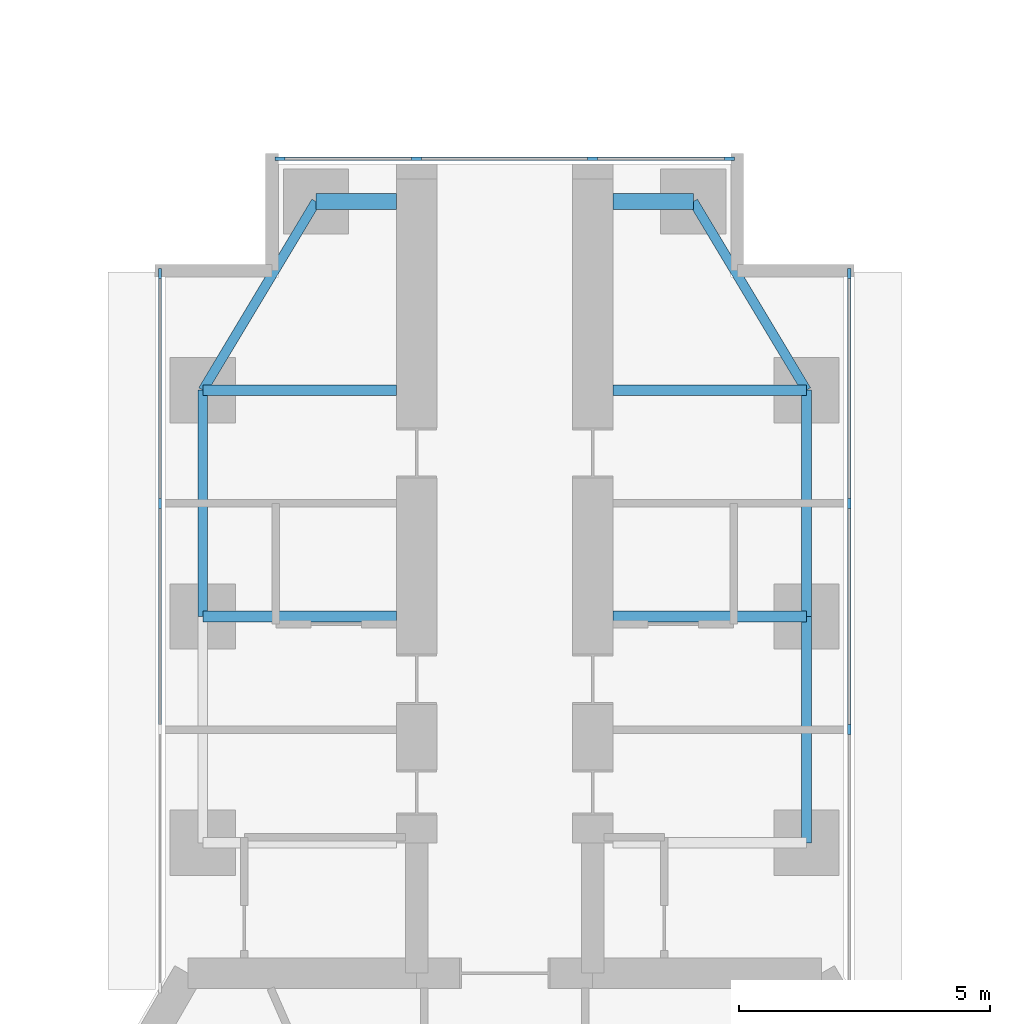
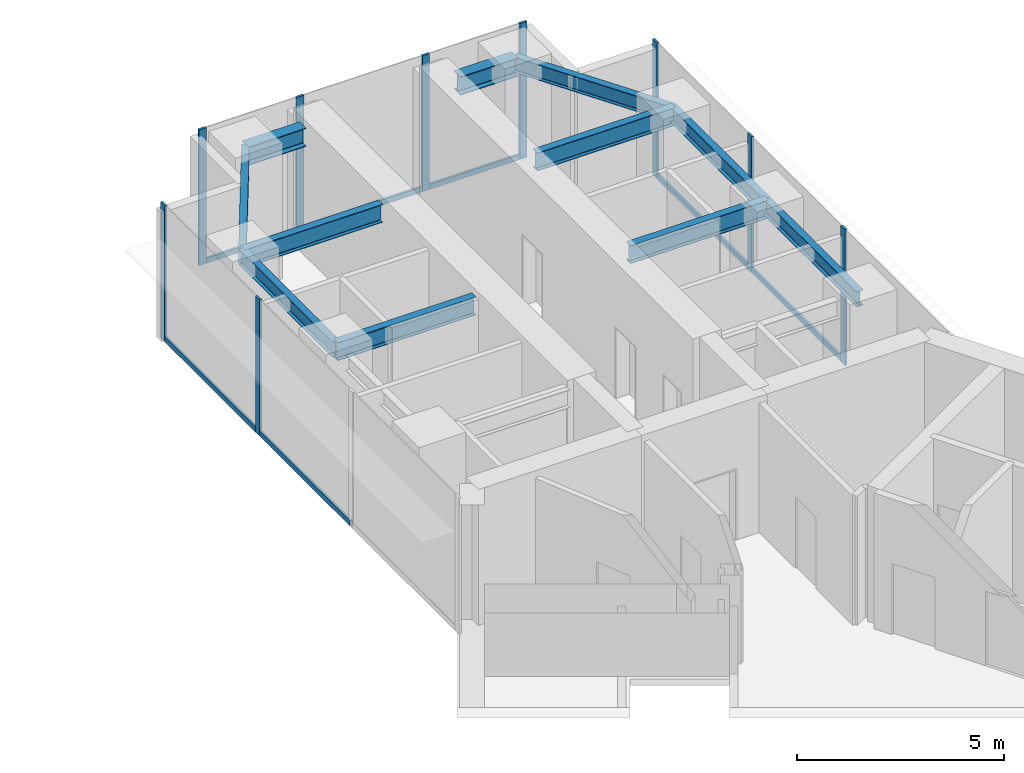
# One storey, part 12 of 22: 16 members, 11 beams, 3 elements without a shape of their own.
"""IFC4 building model written with IfcOpenShell, lengths in metres."""

from ifc_helpers import new_model, si_unit, direction, frame, origin, origin_2d, place, context, subcontext, project, spatial, rectangle, i_section, extrude, material, material_profile, profile_set, type_object, element, aggregate, save


model = new_model("IFC4")

# Units and contexts
model_context = context("Model", 3, precision=1e-05, world=origin(), true_north=direction((0.0, 1.0)))
body_context = subcontext(model_context, "Body", "Model", "MODEL_VIEW")
ifc_project = project(units=[si_unit("LENGTHUNIT", "METRE"), si_unit("AREAUNIT", "SQUARE_METRE"), si_unit("VOLUMEUNIT", "CUBIC_METRE"), si_unit("PLANEANGLEUNIT", "RADIAN"), si_unit("MASSUNIT", "GRAM", prefix="KILO")], contexts=[model_context])

# Site, building, storey
site_placement = place(None, origin())
site = spatial("IfcSite", under=ifc_project, at=site_placement, CompositionType="ELEMENT")
building_placement = place(site_placement, origin())
building = spatial("IfcBuilding", under=site, at=building_placement, Name="Upepo Twin Towers", CompositionType="ELEMENT")
storey_placement = place(building_placement, frame((0.0, 0.0, 121.5)))
storey = spatial("IfcBuildingStorey", under=building, at=storey_placement, Name="L29", CompositionType="ELEMENT", Elevation=121.5)

# Beams
ifc_material_1 = material(Name="Steel S355", Category="steel")
ifc_material_profile_1 = material_profile(ifc_material_1, i_section(OverallWidth=0.1904296875, OverallDepth=0.45703125, WebThickness=0.009033203125, FlangeThickness=0.014404296875, FilletRadius=0.01025390625, at=origin_2d()), Name="UB 457x191x74")
ifc_profile_set_1 = profile_set([ifc_material_profile_1], Name="Steel S355")
beam_type_1 = type_object("IfcBeamType", Name="Beam UB 457x191x74", PredefinedType="BEAM", material=ifc_profile_set_1)
beam_1_placement = place(storey_placement, frame((52.5, 0.0, 3.571533203125), z_axis=(0.0, 1.0, 0.0), x_axis=(-1.0, 0.0, 0.0)))
element("IfcBeam", 1, at=beam_1_placement, inside=storey, type_object=beam_type_1, Name="T2 edge beam AL 18.0-22.5", PredefinedType="BEAM", context=body_context, shape_type="SweptSolid", body=[
    extrude(i_section(OverallWidth=0.1904296875, OverallDepth=0.45703125, WebThickness=0.009033203125, FlangeThickness=0.014404296875, FilletRadius=0.01025390625, at=origin_2d()), origin(), (0.0, 0.0, 1.0), 4.5),
])
beam_2_placement = place(storey_placement, frame((52.5, 4.5, 3.571533203125), z_axis=(0.514495755428, 0.857492925713, 0.0), x_axis=(-0.857492925713, 0.514495755428, 0.0)))
element("IfcBeam", 2, at=beam_2_placement, inside=storey, type_object=beam_type_1, Name="T2 nose edge beam AL", PredefinedType="BEAM", context=body_context, shape_type="SweptSolid", body=[
    extrude(i_section(OverallWidth=0.1904296875, OverallDepth=0.45703125, WebThickness=0.009033203125, FlangeThickness=0.014404296875, FilletRadius=0.01025390625, at=origin_2d()), origin(), (0.0, 0.0, 1.0), 4.373291015625),
])
for number, where, z_axis, x_axis, name in (
    (3, (64.5, -4.5, 3.571533203125), (0.0, 1.0, 0.0), (-1.0, 0.0, 0.0), "T2 edge beam AR 13.5-18.0"),
    (4, (64.5, 0.0, 3.571533203125), (0.0, 1.0, 0.0), (-1.0, 0.0, 0.0), "T2 edge beam AR 18.0-22.5"),
):
    element("IfcBeam", number, at=place(storey_placement, frame(where, z_axis=z_axis, x_axis=x_axis)), inside=storey, type_object=beam_type_1, Name=name, PredefinedType="BEAM", context=body_context, shape_type="SweptSolid", body=[
        extrude(i_section(OverallWidth=0.1904296875, OverallDepth=0.45703125, WebThickness=0.009033203125, FlangeThickness=0.014404296875, FilletRadius=0.01025390625, at=origin_2d()), origin(), (0.0, 0.0, 1.0), 4.5),
    ])
beam_3_placement = place(storey_placement, frame((64.5, 4.5, 3.571533203125), z_axis=(-0.514495755428, 0.857492925713, 0.0), x_axis=(-0.857492925713, -0.514495755428, 0.0)))
element("IfcBeam", 5, at=beam_3_placement, inside=storey, type_object=beam_type_1, Name="T2 nose edge beam AR", PredefinedType="BEAM", context=body_context, shape_type="SweptSolid", body=[
    extrude(i_section(OverallWidth=0.1904296875, OverallDepth=0.45703125, WebThickness=0.009033203125, FlangeThickness=0.014404296875, FilletRadius=0.01025390625, at=origin_2d()), origin(), (0.0, 0.0, 1.0), 4.373291015625),
])
ifc_material_2 = material(Name="Steel S355", Category="steel")
ifc_material_profile_2 = material_profile(ifc_material_2, i_section(OverallWidth=0.209228515625, OverallDepth=0.533203125, WebThickness=0.010009765625, FlangeThickness=0.015625, FilletRadius=0.0126953125, at=origin_2d()), Name="UB 533x210x92")
ifc_profile_set_2 = profile_set([ifc_material_profile_2], Name="Steel S355")
beam_type_2 = type_object("IfcBeamType", Name="Beam UB 533x210x92", PredefinedType="BEAM", material=ifc_profile_set_2)
for number, where, z_axis, x_axis, name in (
    (6, (52.5, 0.0, 3.533447265625), (1.0, 0.0, 0.0), (0.0, 1.0, 0.0), "T2 girder AL at 18.0"),
    (7, (52.5, 4.5, 3.533447265625), (1.0, 0.0, 0.0), (0.0, 1.0, 0.0), "T2 girder AL at 22.5"),
    (8, (64.5, 0.0, 3.533447265625), (-1.0, 0.0, 0.0), (0.0, -1.0, 0.0), "T2 girder AR at 18.0"),
    (9, (64.5, 4.5, 3.533447265625), (-1.0, 0.0, 0.0), (0.0, -1.0, 0.0), "T2 girder AR at 22.5"),
):
    element("IfcBeam", number, at=place(storey_placement, frame(where, z_axis=z_axis, x_axis=x_axis)), inside=storey, type_object=beam_type_2, Name=name, PredefinedType="BEAM", context=body_context, shape_type="SweptSolid", body=[
        extrude(i_section(OverallWidth=0.209228515625, OverallDepth=0.533203125, WebThickness=0.010009765625, FlangeThickness=0.015625, FilletRadius=0.0126953125, at=origin_2d()), origin(), (0.0, 0.0, 1.0), 3.85009765625),
    ])
ifc_material_3 = material(Name="Steel S355", Category="steel")
ifc_material_profile_3 = material_profile(ifc_material_3, i_section(OverallWidth=0.31201171875, OverallDepth=0.54345703125, WebThickness=0.0126953125, FlangeThickness=0.020263671875, FilletRadius=0.0126953125, at=origin_2d()), Name="UB 533x312x150")
ifc_profile_set_3 = profile_set([ifc_material_profile_3], Name="Steel S355")
beam_type_3 = type_object("IfcBeamType", Name="Beam UB 533x312x150", PredefinedType="BEAM", material=ifc_profile_set_3)
for number, where, z_axis, x_axis, name in (
    (10, (54.75, 8.25, 3.5283203125), (1.0, 0.0, 0.0), (0.0, 1.0, 0.0), "T2 nose beam AL"),
    (11, (62.25, 8.25, 3.5283203125), (-1.0, 0.0, 0.0), (0.0, -1.0, 0.0), "T2 nose beam AR"),
):
    element("IfcBeam", number, at=place(storey_placement, frame(where, z_axis=z_axis, x_axis=x_axis)), inside=storey, type_object=beam_type_3, Name=name, PredefinedType="BEAM", context=body_context, shape_type="SweptSolid", body=[
        extrude(i_section(OverallWidth=0.31201171875, OverallDepth=0.54345703125, WebThickness=0.0126953125, FlangeThickness=0.020263671875, FilletRadius=0.0126953125, at=origin_2d()), origin(), (0.0, 0.0, 1.0), 1.60009765625),
    ])

# Curtain wall, members
ifc_material_4 = material(Name="Aluminium and fritted glass", Category="aluminium")
curtain_wall_type = type_object("IfcCurtainWallType", Name="Tower curtain wall TW2, fritted glass", PredefinedType="NOTDEFINED", material=ifc_material_4)
curtain_wall_1_placement = place(storey_placement, origin())
curtain_wall_1 = element("IfcCurtainWall", 12, at=curtain_wall_1_placement, inside=storey, type_object=curtain_wall_type, Name="T2 L29 wing A flank L curtain wall", PredefinedType="NOTDEFINED")
ifc_material_5 = material(Name="Aluminium mullion", Category="aluminium")
ifc_material_profile_4 = material_profile(ifc_material_5, rectangle(XDim=0.06494140625, YDim=0.199951171875, at=origin_2d()), Name="MULLION 65x200")
ifc_profile_set_4 = profile_set([ifc_material_profile_4], Name="Aluminium mullion")
member_type_1 = type_object("IfcMemberType", Name="Mullion 65x200 TW2", PredefinedType="MULLION", material=ifc_profile_set_4)
member_1_placement = place(storey_placement, frame((51.64990234375, 2.25, 0.0), z_axis=(0.0, 0.0, 1.0), x_axis=(-1.0, 0.0, 0.0)))
member_1 = element("IfcMember", 13, at=member_1_placement, type_object=member_type_1, Name="T2 L29 wing A flank L curtain wall mullion 3", PredefinedType="MULLION", context=body_context, shape_type="SweptSolid", body=[
    extrude(rectangle(XDim=0.06494140625, YDim=0.199951171875, at=origin_2d()), origin(), (0.0, 0.0, 1.0), 4.0),
])
member_2_placement = place(storey_placement, frame((51.64990234375, 6.8173828125, 0.0), z_axis=(0.0, 0.0, 1.0), x_axis=(-1.0, 0.0, 0.0)))
member_2 = element("IfcMember", 14, at=member_2_placement, type_object=member_type_1, Name="T2 L29 wing A flank L curtain wall mullion 4", PredefinedType="MULLION", context=body_context, shape_type="SweptSolid", body=[
    extrude(rectangle(XDim=0.06494140625, YDim=0.199951171875, at=origin_2d()), origin(), (0.0, 0.0, 1.0), 4.0),
])

curtain_wall_2_placement = place(storey_placement, origin())
curtain_wall_2 = element("IfcCurtainWall", 15, at=curtain_wall_2_placement, inside=storey, type_object=curtain_wall_type, Name="T2 L29 wing A flank R curtain wall", PredefinedType="NOTDEFINED")
member_3_placement = place(storey_placement, frame((65.35009765625, 6.8173828125, 0.0), z_axis=(0.0, 0.0, 1.0), x_axis=(1.0, 0.0, 0.0)))
member_3 = element("IfcMember", 16, at=member_3_placement, type_object=member_type_1, Name="T2 L29 wing A flank R curtain wall mullion 1", PredefinedType="MULLION", context=body_context, shape_type="SweptSolid", body=[
    extrude(rectangle(XDim=0.06494140625, YDim=0.199951171875, at=origin_2d()), origin(), (0.0, 0.0, 1.0), 4.0),
])
member_4_placement = place(storey_placement, frame((65.35009765625, 2.25, 0.0), z_axis=(0.0, 0.0, 1.0), x_axis=(1.0, 0.0, 0.0)))
member_4 = element("IfcMember", 17, at=member_4_placement, type_object=member_type_1, Name="T2 L29 wing A flank R curtain wall mullion 2", PredefinedType="MULLION", context=body_context, shape_type="SweptSolid", body=[
    extrude(rectangle(XDim=0.06494140625, YDim=0.199951171875, at=origin_2d()), origin(), (0.0, 0.0, 1.0), 4.0),
])
member_5_placement = place(storey_placement, frame((65.35009765625, -2.25, 0.0), z_axis=(0.0, 0.0, 1.0), x_axis=(1.0, 0.0, 0.0)))
member_5 = element("IfcMember", 18, at=member_5_placement, type_object=member_type_1, Name="T2 L29 wing A flank R curtain wall mullion 3", PredefinedType="MULLION", context=body_context, shape_type="SweptSolid", body=[
    extrude(rectangle(XDim=0.06494140625, YDim=0.199951171875, at=origin_2d()), origin(), (0.0, 0.0, 1.0), 4.0),
])

curtain_wall_3_placement = place(storey_placement, origin())
curtain_wall_3 = element("IfcCurtainWall", 19, at=curtain_wall_3_placement, inside=storey, type_object=curtain_wall_type, Name="T2 L29 wing A nose curtain wall", PredefinedType="NOTDEFINED")
member_6_placement = place(storey_placement, frame((62.967529296875, 9.10009765625, 0.0), z_axis=(0.0, 0.0, 1.0), x_axis=(0.0, -1.0, 0.0)))
member_6 = element("IfcMember", 20, at=member_6_placement, type_object=member_type_1, Name="T2 L29 wing A nose curtain wall mullion 1", PredefinedType="MULLION", context=body_context, shape_type="SweptSolid", body=[
    extrude(rectangle(XDim=0.06494140625, YDim=0.199951171875, at=origin_2d()), origin(), (0.0, 0.0, 1.0), 4.0),
])
member_7_placement = place(storey_placement, frame((60.25, 9.10009765625, 0.0), z_axis=(0.0, 0.0, 1.0), x_axis=(0.0, -1.0, 0.0)))
member_7 = element("IfcMember", 21, at=member_7_placement, type_object=member_type_1, Name="T2 L29 wing A nose curtain wall mullion 2", PredefinedType="MULLION", context=body_context, shape_type="SweptSolid", body=[
    extrude(rectangle(XDim=0.06494140625, YDim=0.199951171875, at=origin_2d()), origin(), (0.0, 0.0, 1.0), 4.0),
])
member_8_placement = place(storey_placement, frame((56.75, 9.10009765625, 0.0), z_axis=(0.0, 0.0, 1.0), x_axis=(0.0, -1.0, 0.0)))
member_8 = element("IfcMember", 22, at=member_8_placement, type_object=member_type_1, Name="T2 L29 wing A nose curtain wall mullion 3", PredefinedType="MULLION", context=body_context, shape_type="SweptSolid", body=[
    extrude(rectangle(XDim=0.06494140625, YDim=0.199951171875, at=origin_2d()), origin(), (0.0, 0.0, 1.0), 4.0),
])
member_9_placement = place(storey_placement, frame((54.032470703125, 9.10009765625, 0.0), z_axis=(0.0, 0.0, 1.0), x_axis=(0.0, -1.0, 0.0)))
member_9 = element("IfcMember", 23, at=member_9_placement, type_object=member_type_1, Name="T2 L29 wing A nose curtain wall mullion 4", PredefinedType="MULLION", context=body_context, shape_type="SweptSolid", body=[
    extrude(rectangle(XDim=0.06494140625, YDim=0.199951171875, at=origin_2d()), origin(), (0.0, 0.0, 1.0), 4.0),
])

# Member
ifc_material_6 = material(Name="Aluminium transom", Category="aluminium")
ifc_material_profile_5 = material_profile(ifc_material_6, rectangle(XDim=0.06494140625, YDim=0.14990234375, at=origin_2d()), Name="TRANSOM 65x150")
ifc_profile_set_5 = profile_set([ifc_material_profile_5], Name="Aluminium transom")
member_type_2 = type_object("IfcMemberType", Name="Transom 65x150 TW2", PredefinedType="USERDEFINED", material=ifc_profile_set_5)
member_10_placement = place(storey_placement, frame((51.64990234375, -2.217529296875, 0.074951171875), z_axis=(0.0, 1.0, 0.0), x_axis=(-1.0, 0.0, 0.0)))
member_10 = element("IfcMember", 24, at=member_10_placement, type_object=member_type_2, Name="T2 L29 wing A flank L curtain wall transom 2", ObjectType="TRANSOM", PredefinedType="USERDEFINED", context=body_context, shape_type="SweptSolid", body=[
    extrude(rectangle(XDim=0.06494140625, YDim=0.14990234375, at=origin_2d()), origin(), (0.0, 0.0, 1.0), 4.43505859375),
])

member_11_placement = place(storey_placement, frame((51.64990234375, 2.282470703125, 0.074951171875), z_axis=(0.0, 1.0, 0.0), x_axis=(-1.0, 0.0, 0.0)))
member_11 = element("IfcMember", 25, at=member_11_placement, type_object=member_type_2, Name="T2 L29 wing A flank L curtain wall transom 3", ObjectType="TRANSOM", PredefinedType="USERDEFINED", context=body_context, shape_type="SweptSolid", body=[
    extrude(rectangle(XDim=0.06494140625, YDim=0.14990234375, at=origin_2d()), origin(), (0.0, 0.0, 1.0), 4.50244140625),
])

aggregate(curtain_wall_1, [member_1, member_2, member_10, member_11])

member_12_placement = place(storey_placement, frame((65.35009765625, 6.784912109375, 0.074951171875), z_axis=(0.0, -1.0, 0.0), x_axis=(1.0, 0.0, 0.0)))
member_12 = element("IfcMember", 26, at=member_12_placement, type_object=member_type_2, Name="T2 L29 wing A flank R curtain wall transom 1", ObjectType="TRANSOM", PredefinedType="USERDEFINED", context=body_context, shape_type="SweptSolid", body=[
    extrude(rectangle(XDim=0.06494140625, YDim=0.14990234375, at=origin_2d()), origin(), (0.0, 0.0, 1.0), 4.50244140625),
])

member_13_placement = place(storey_placement, frame((65.35009765625, 2.217529296875, 0.074951171875), z_axis=(0.0, -1.0, 0.0), x_axis=(1.0, 0.0, 0.0)))
member_13 = element("IfcMember", 27, at=member_13_placement, type_object=member_type_2, Name="T2 L29 wing A flank R curtain wall transom 2", ObjectType="TRANSOM", PredefinedType="USERDEFINED", context=body_context, shape_type="SweptSolid", body=[
    extrude(rectangle(XDim=0.06494140625, YDim=0.14990234375, at=origin_2d()), origin(), (0.0, 0.0, 1.0), 4.43505859375),
])

aggregate(curtain_wall_2, [member_3, member_4, member_5, member_12, member_13])

member_14_placement = place(storey_placement, frame((62.93505859375, 9.10009765625, 0.074951171875), z_axis=(-1.0, 0.0, 0.0), x_axis=(0.0, -1.0, 0.0)))
member_14 = element("IfcMember", 28, at=member_14_placement, type_object=member_type_2, Name="T2 L29 wing A nose curtain wall transom 1", ObjectType="TRANSOM", PredefinedType="USERDEFINED", context=body_context, shape_type="SweptSolid", body=[
    extrude(rectangle(XDim=0.06494140625, YDim=0.14990234375, at=origin_2d()), origin(), (0.0, 0.0, 1.0), 2.652587890625),
])

member_15_placement = place(storey_placement, frame((60.217529296875, 9.10009765625, 0.074951171875), z_axis=(-1.0, 0.0, 0.0), x_axis=(0.0, -1.0, 0.0)))
member_15 = element("IfcMember", 29, at=member_15_placement, type_object=member_type_2, Name="T2 L29 wing A nose curtain wall transom 2", ObjectType="TRANSOM", PredefinedType="USERDEFINED", context=body_context, shape_type="SweptSolid", body=[
    extrude(rectangle(XDim=0.06494140625, YDim=0.14990234375, at=origin_2d()), origin(), (0.0, 0.0, 1.0), 3.43505859375),
])

member_16_placement = place(storey_placement, frame((56.717529296875, 9.10009765625, 0.074951171875), z_axis=(-1.0, 0.0, 0.0), x_axis=(0.0, -1.0, 0.0)))
member_16 = element("IfcMember", 30, at=member_16_placement, type_object=member_type_2, Name="T2 L29 wing A nose curtain wall transom 3", ObjectType="TRANSOM", PredefinedType="USERDEFINED", context=body_context, shape_type="SweptSolid", body=[
    extrude(rectangle(XDim=0.06494140625, YDim=0.14990234375, at=origin_2d()), origin(), (0.0, 0.0, 1.0), 2.652587890625),
])

aggregate(curtain_wall_3, [member_6, member_7, member_8, member_9, member_14, member_15, member_16])

save(model, "model.ifc")
